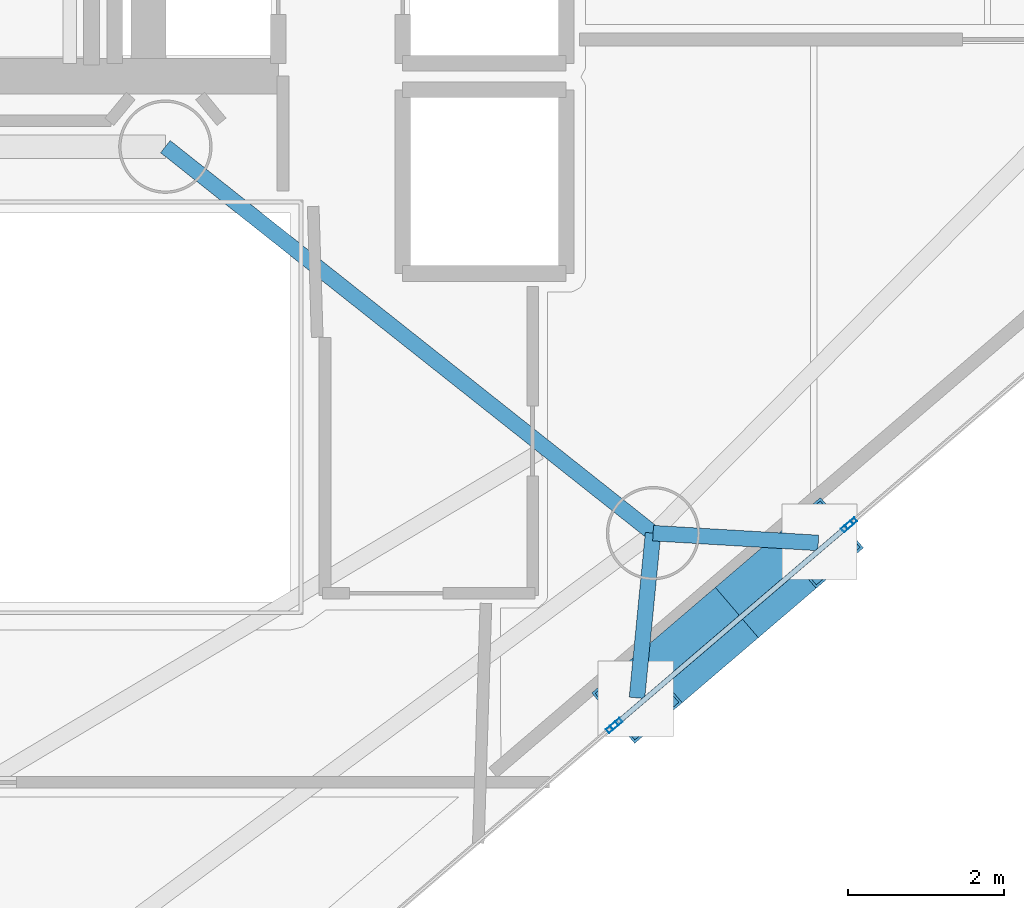
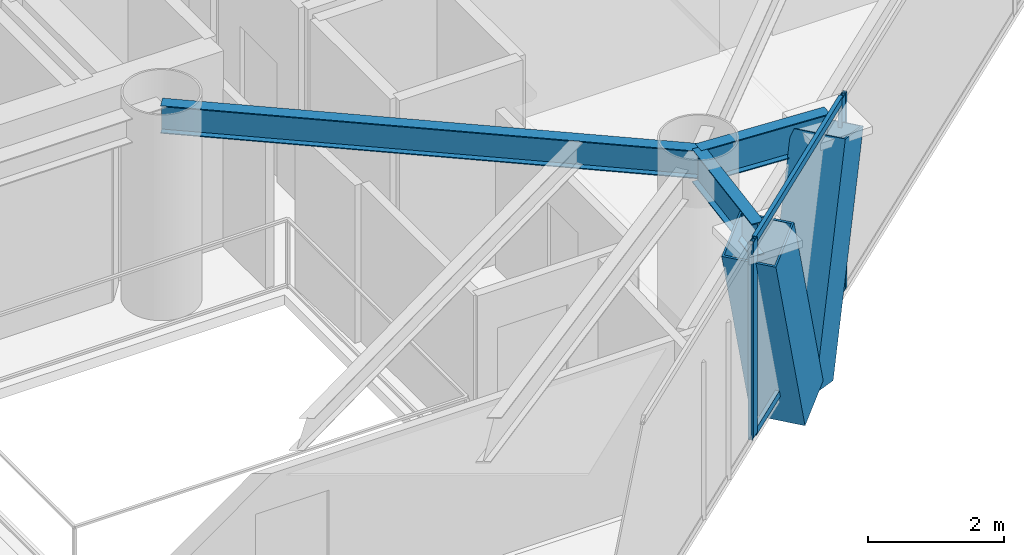
# One storey, part 6 of 23: 8 members, 3 beams, 3 elements without a shape of their own.
"""IFC4 building model written with IfcOpenShell, lengths in metres."""

from ifc_helpers import new_model, si_unit, direction, frame, origin, origin_2d, place, context, subcontext, project, spatial, hollow_rectangle, i_section, extrude, material, layer, layer_set, material_profile, profile_set, type_object, element, aggregate, save


model = new_model("IFC4")

# Units and contexts
model_context = context("Model", 3, precision=1e-05, world=origin(), true_north=direction((0.0, 1.0)))
body_context = subcontext(model_context, "Body", "Model", "MODEL_VIEW")
ifc_project = project(units=[si_unit("LENGTHUNIT", "METRE"), si_unit("AREAUNIT", "SQUARE_METRE"), si_unit("VOLUMEUNIT", "CUBIC_METRE"), si_unit("PLANEANGLEUNIT", "RADIAN"), si_unit("MASSUNIT", "GRAM", prefix="KILO")], contexts=[model_context])

# Site, building, storey
site_placement = place(None, origin())
site = spatial("IfcSite", under=ifc_project, at=site_placement, CompositionType="ELEMENT")
building_placement = place(site_placement, origin())
building = spatial("IfcBuilding", under=site, at=building_placement, Name="Qianvela Tower", CompositionType="ELEMENT")
storey_placement = place(building_placement, frame((0.0, 0.0, 215.10009765625)))
storey = spatial("IfcBuildingStorey", under=building, at=storey_placement, Name="L55", CompositionType="ELEMENT", Elevation=215.10009765625)

# Beams
ifc_material_1 = material(Name="Steel Q355B", Category="steel")
ifc_material_profile_1 = material_profile(ifc_material_1, i_section(OverallWidth=0.199951171875, OverallDepth=0.5, WebThickness=0.010009765625, FlangeThickness=0.01611328125, at=origin_2d()), Name="HN500x200x10x16")
ifc_profile_set_1 = profile_set([ifc_material_profile_1], Name="Steel Q355B")
beam_type_1 = type_object("IfcBeamType", Name="BM-HN500-GIRD", PredefinedType="BEAM", material=ifc_profile_set_1)
beam_placement = place(storey_placement, frame((38.39990234375, 23.85009765625, 3.267822265625), z_axis=(0.783705217119, -0.621132942824, 0.0), x_axis=(0.621132942824, 0.783705217119, 0.0)))
element("IfcBeam", 1, at=beam_placement, inside=storey, type_object=beam_type_1, Name="L55 Radial Primary Floor Girder 6", PredefinedType="BEAM", context=body_context, shape_type="SweptSolid", body=[
    extrude(i_section(OverallWidth=0.199951171875, OverallDepth=0.5, WebThickness=0.010009765625, FlangeThickness=0.01611328125, at=origin_2d()), origin(), (0.0, 0.0, 1.0), 7.996826171875),
])
ifc_material_2 = material(Name="Steel Q355B", Category="steel")
ifc_material_profile_2 = material_profile(ifc_material_2, i_section(OverallWidth=0.199951171875, OverallDepth=0.60009765625, WebThickness=0.010986328125, FlangeThickness=0.01708984375, at=origin_2d()), Name="HN600x200x11x17")
ifc_profile_set_2 = profile_set([ifc_material_profile_2], Name="Steel Q355B")
beam_type_2 = type_object("IfcBeamType", Name="BM-HN600-GIRD", PredefinedType="BEAM", material=ifc_profile_set_2)
for number, where, z_axis, x_axis, name in (
    (2, (44.6669921875, 18.883056640625, 3.218017578125), (-0.097457725032, -0.995239665524, 0.0), (0.995239665524, -0.097457725032, 0.0), "L55 Mega-Brace Column Tie Bracket F3-1"),
    (3, (44.6669921875, 18.883056640625, 3.218017578125), (0.998257707676, -0.059004652915, 0.0), (0.059004652915, 0.998257707676, 0.0), "L55 Mega-Brace Column Tie Bracket F3-2"),
):
    element("IfcBeam", number, at=place(storey_placement, frame(where, z_axis=z_axis, x_axis=x_axis)), inside=storey, type_object=beam_type_2, Name=name, PredefinedType="BEAM", context=body_context, shape_type="SweptSolid", body=[
        extrude(i_section(OverallWidth=0.199951171875, OverallDepth=0.60009765625, WebThickness=0.010986328125, FlangeThickness=0.01708984375, at=origin_2d()), origin(), (0.0, 0.0, 1.0), 2.126708984375),
    ])

# Curtain wall, members
ifc_material_3 = material(Name="Anodised Architectural Aluminium and Insulated Spandrel Panel", Category="aluminium")
ifc_layer_1 = layer(ifc_material_3, 0.179931640625)
ifc_layer_set_1 = layer_set([ifc_layer_1], Name="Anodised Architectural Aluminium and Insulated Spandrel Panel")
curtain_wall_type_1 = type_object("IfcCurtainWallType", Name="CW-BRACEBAY", PredefinedType="USERDEFINED", material=ifc_layer_set_1)
curtain_wall_1_placement = place(storey_placement, origin())
curtain_wall_1 = element("IfcCurtainWall", 4, at=curtain_wall_1_placement, inside=storey, type_object=curtain_wall_type_1, Name="L55 CW-BRACEBAY Curtain Wall 06B", ObjectType="CURTAIN_WALL_SYSTEM", PredefinedType="USERDEFINED")
ifc_material_4 = material(Name="Anodised Architectural Aluminium 6063-T6", Category="aluminium")
ifc_material_profile_3 = material_profile(ifc_material_4, hollow_rectangle(XDim=0.06494140625, YDim=0.159912109375, WallThickness=0.0048828125, at=origin_2d()), Name="ALU-MULL-65x160")
ifc_profile_set_3 = profile_set([ifc_material_profile_3], Name="Anodised Architectural Aluminium 6063-T6")
member_type_1 = type_object("IfcMemberType", Name="CW-BRACEBAY-MULL", PredefinedType="MULLION", material=ifc_profile_set_3)
member_1_placement = place(storey_placement, frame((44.192138671875, 16.432373046875, 0.0), z_axis=(0.0, 0.0, 1.0), x_axis=(-0.649624799225, 0.760254970541, 0.0)))
member_1 = element("IfcMember", 5, at=member_1_placement, type_object=member_type_1, Name="CW-9 mullion 1", PredefinedType="MULLION", context=body_context, shape_type="SweptSolid", body=[
    extrude(hollow_rectangle(XDim=0.06494140625, YDim=0.159912109375, WallThickness=0.0048828125, at=origin_2d()), origin(), (0.0, 0.0, 1.0), 3.52001953125),
])
member_2_placement = place(storey_placement, frame((47.160888671875, 18.968994140625, 0.0), z_axis=(0.0, 0.0, 1.0), x_axis=(-0.649624799225, 0.760254970541, 0.0)))
member_2 = element("IfcMember", 6, at=member_2_placement, type_object=member_type_1, Name="CW-9 mullion 2", PredefinedType="MULLION", context=body_context, shape_type="SweptSolid", body=[
    extrude(hollow_rectangle(XDim=0.06494140625, YDim=0.159912109375, WallThickness=0.0048828125, at=origin_2d()), origin(), (0.0, 0.0, 1.0), 3.52001953125),
])
ifc_material_5 = material(Name="Anodised Architectural Aluminium 6063-T6", Category="aluminium")
ifc_material_profile_4 = material_profile(ifc_material_5, hollow_rectangle(XDim=0.06494140625, YDim=0.1298828125, WallThickness=0.00439453125, at=origin_2d()), Name="ALU-TRAN-65x130")
ifc_profile_set_4 = profile_set([ifc_material_profile_4], Name="Anodised Architectural Aluminium 6063-T6")
member_type_2 = type_object("IfcMemberType", Name="CW-BRACEBAY-TRAN", PredefinedType="USERDEFINED", material=ifc_profile_set_4)
member_3_placement = place(storey_placement, frame((44.216796875, 16.453369140625, 0.032470703125), z_axis=(0.760251999338, 0.649628276403, 0.0), x_axis=(-0.649628276403, 0.760251999338, 0.0)))
member_3 = element("IfcMember", 7, at=member_3_placement, type_object=member_type_2, Name="CW-9 transom 1.1", ObjectType="TRANSOM", PredefinedType="USERDEFINED", context=body_context, shape_type="SweptSolid", body=[
    extrude(hollow_rectangle(XDim=0.06494140625, YDim=0.1298828125, WallThickness=0.00439453125, at=origin_2d()), origin(), (0.0, 0.0, 1.0), 3.840087890625),
])
member_4_placement = place(storey_placement, frame((44.216796875, 16.453369140625, 3.4873046875), z_axis=(0.760251999338, 0.649628276403, 0.0), x_axis=(-0.649628276403, 0.760251999338, 0.0)))
member_4 = element("IfcMember", 8, at=member_4_placement, type_object=member_type_2, Name="CW-9 transom 1.2", ObjectType="TRANSOM", PredefinedType="USERDEFINED", context=body_context, shape_type="SweptSolid", body=[
    extrude(hollow_rectangle(XDim=0.06494140625, YDim=0.1298828125, WallThickness=0.00439453125, at=origin_2d()), origin(), (0.0, 0.0, 1.0), 3.840087890625),
])
aggregate(curtain_wall_1, [member_1, member_2, member_3, member_4])

# Curtain wall, member
ifc_material_6 = material(Name="Anodised Architectural Aluminium and Low-E Glass", Category="aluminium")
ifc_layer_2 = layer(ifc_material_6, 0.159912109375)
ifc_layer_set_2 = layer_set([ifc_layer_2], Name="Anodised Architectural Aluminium and Low-E Glass")
curtain_wall_type_2 = type_object("IfcCurtainWallType", Name="CW-COLIV-Z56", PredefinedType="USERDEFINED", material=ifc_layer_set_2)
curtain_wall_2_placement = place(storey_placement, origin())
curtain_wall_2 = element("IfcCurtainWall", 9, at=curtain_wall_2_placement, inside=storey, type_object=curtain_wall_type_2, Name="L55 CW-COLIV-Z56 Curtain Wall 06A", ObjectType="CURTAIN_WALL_SYSTEM", PredefinedType="USERDEFINED")
ifc_material_7 = material(Name="Anodised Architectural Aluminium 6063-T6", Category="aluminium")
ifc_material_profile_5 = material_profile(ifc_material_7, hollow_rectangle(XDim=0.06494140625, YDim=0.159912109375, WallThickness=0.0048828125, at=origin_2d()), Name="ALU-MULL-65x160")
ifc_profile_set_5 = profile_set([ifc_material_profile_5], Name="Anodised Architectural Aluminium 6063-T6")
member_type_3 = type_object("IfcMemberType", Name="CW-COLIV-Z56-MULL", PredefinedType="MULLION", material=ifc_profile_set_5)
member_5_placement = place(storey_placement, frame((44.142578125, 16.39013671875, 0.0), z_axis=(0.0, 0.0, 1.0), x_axis=(-0.649620040422, 0.76025903683, 0.0)))
member_5 = element("IfcMember", 10, at=member_5_placement, type_object=member_type_3, Name="CW-5 mullion 3", PredefinedType="MULLION", context=body_context, shape_type="SweptSolid", body=[
    extrude(hollow_rectangle(XDim=0.06494140625, YDim=0.159912109375, WallThickness=0.0048828125, at=origin_2d()), origin(), (0.0, 0.0, 1.0), 3.52001953125),
])
aggregate(curtain_wall_2, [member_5])

curtain_wall_3_placement = place(storey_placement, origin())
curtain_wall_3 = element("IfcCurtainWall", 11, at=curtain_wall_3_placement, inside=storey, type_object=curtain_wall_type_2, Name="L55 CW-COLIV-Z56 Curtain Wall 06C", ObjectType="CURTAIN_WALL_SYSTEM", PredefinedType="USERDEFINED")
member_6_placement = place(storey_placement, frame((47.210205078125, 19.01123046875, 0.0), z_axis=(0.0, 0.0, 1.0), x_axis=(-0.649616798555, 0.760261806903, 0.0)))
member_6 = element("IfcMember", 12, at=member_6_placement, type_object=member_type_3, Name="CW-5 mullion 1", PredefinedType="MULLION", context=body_context, shape_type="SweptSolid", body=[
    extrude(hollow_rectangle(XDim=0.06494140625, YDim=0.159912109375, WallThickness=0.0048828125, at=origin_2d()), origin(), (0.0, 0.0, 1.0), 3.52001953125),
])
aggregate(curtain_wall_3, [member_6])

# Members
ifc_material_8 = material(Name="Steel Q420GJC", Category="steel")
ifc_material_profile_6 = material_profile(ifc_material_8, hollow_rectangle(XDim=0.85009765625, YDim=0.85009765625, WallThickness=0.031982421875, at=origin_2d()), Name="MBOX-850x850x32")
ifc_profile_set_6 = profile_set([ifc_material_profile_6], Name="Steel Q420GJC")
member_type_4 = type_object("IfcMemberType", Name="MBR-MBRACE-850", PredefinedType="BRACE", material=ifc_profile_set_6)
member_7_placement = place(storey_placement, frame((45.438232421875, 17.602294921875, -0.482177734375), z_axis=(-0.249773117342, -0.213379030384, 0.944501338933), x_axis=(0.649540688348, -0.76032683379, 0.0)))
element("IfcMember", 13, at=member_7_placement, inside=storey, type_object=member_type_4, Name="L55 Tier 9 Exterior Mega-Brace F3A", PredefinedType="BRACE", context=body_context, shape_type="SweptSolid", body=[
    extrude(hollow_rectangle(XDim=0.85009765625, YDim=0.85009765625, WallThickness=0.031982421875, at=origin_2d()), origin(), (0.0, 0.0, 1.0), 3.917724609375),
])
member_8_placement = place(storey_placement, frame((45.772705078125, 17.88818359375, -0.482177734375), z_axis=(0.258551227202, 0.220950544773, 0.940389344727), x_axis=(-0.649663830132, 0.760221617568, 0.0)))
element("IfcMember", 14, at=member_8_placement, inside=storey, type_object=member_type_4, Name="L55 Tier 9 Exterior Mega-Brace F3B", PredefinedType="BRACE", context=body_context, shape_type="SweptSolid", body=[
    extrude(hollow_rectangle(XDim=0.85009765625, YDim=0.85009765625, WallThickness=0.031982421875, at=origin_2d()), origin(), (0.0, 0.0, 1.0), 3.934814453125),
])

save(model, "model.ifc")
